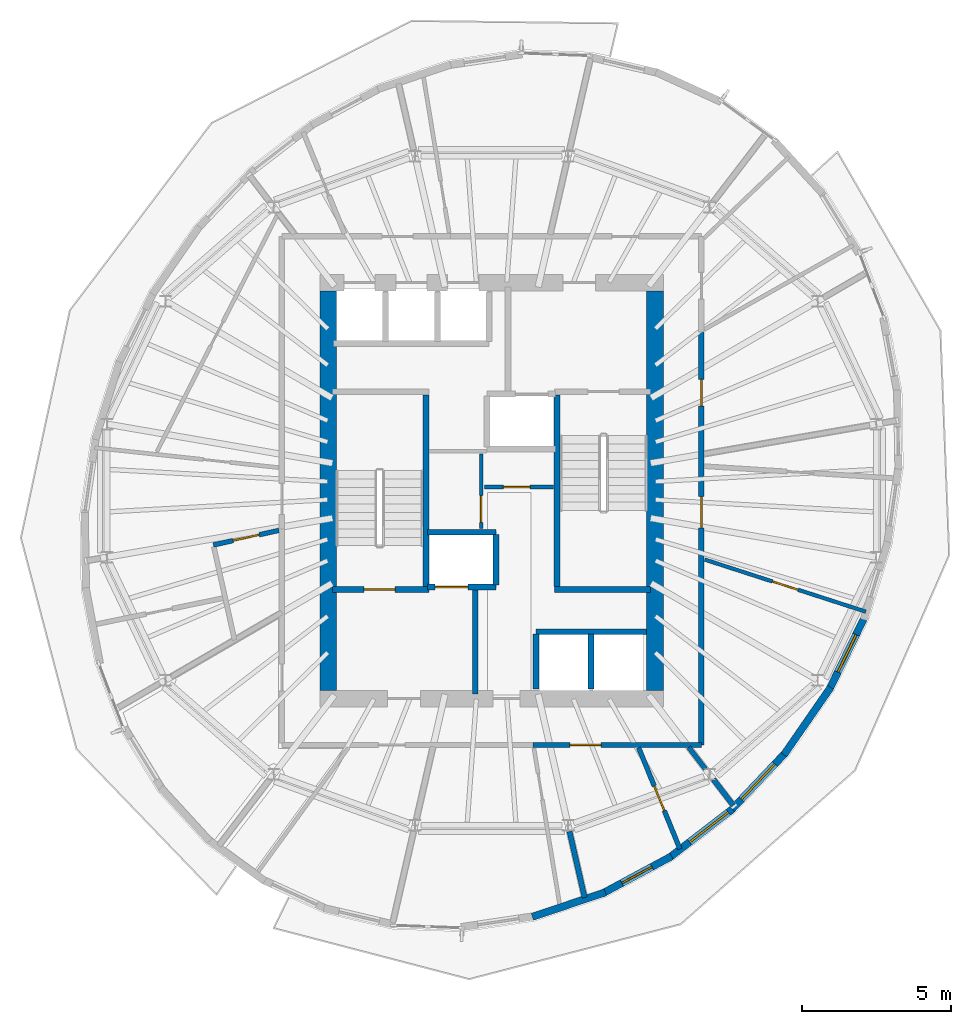
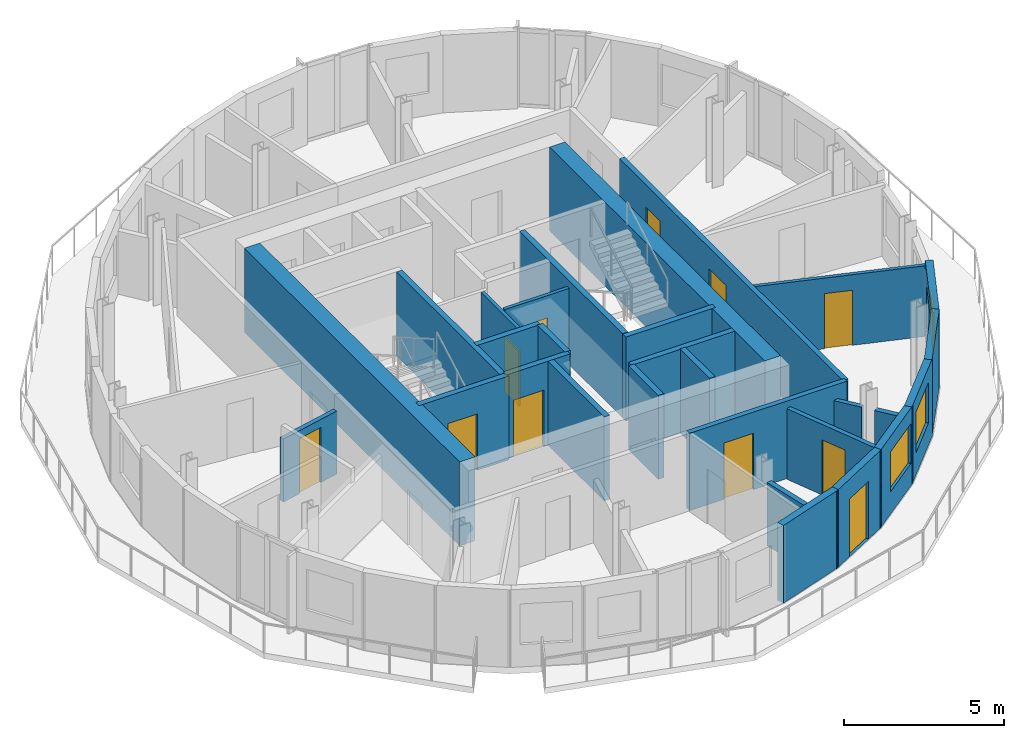
# One storey, part 5 of 11: 29 walls, 11 doors, 3 windows, 14 openings.
"""IFC4 building model written with IfcOpenShell, lengths in metres."""

from ifc_helpers import new_model, si_unit, direction, frame, frame_2d, origin, place, context, subcontext, project, spatial, rectangle, extrude, material, layer, layer_set, type_object, element, fill, save


model = new_model("IFC4")

# Units and contexts
model_context = context("Model", 3, precision=1e-05, world=origin(), true_north=direction((0.0, 1.0)))
body_context = subcontext(model_context, "Body", "Model", "MODEL_VIEW")
ifc_project = project(units=[si_unit("LENGTHUNIT", "METRE"), si_unit("AREAUNIT", "SQUARE_METRE"), si_unit("VOLUMEUNIT", "CUBIC_METRE"), si_unit("PLANEANGLEUNIT", "RADIAN"), si_unit("MASSUNIT", "GRAM", prefix="KILO")], contexts=[model_context])

# Site, building, storey
site_placement = place(None, origin())
site = spatial("IfcSite", under=ifc_project, at=site_placement, CompositionType="ELEMENT")
building_placement = place(site_placement, origin())
building = spatial("IfcBuilding", under=site, at=building_placement, Name="Veldorim Arch Residences", CompositionType="ELEMENT")
storey_placement = place(building_placement, frame((0.0, 0.0, 236.639892578125)))
storey = spatial("IfcBuildingStorey", under=building, at=storey_placement, Name="L71", CompositionType="ELEMENT", Elevation=236.639892578125)

# Wall, opening, door
ifc_material_1 = material(Name="Acoustic Gypsum Board", Category="gypsum")
ifc_layer_1 = layer(ifc_material_1, 0.125, Name="Acoustic Stud Room Partition Wall 125")
ifc_layer_set_1 = layer_set([ifc_layer_1], Name="Acoustic Gypsum Board")
wall_type_1 = type_object("IfcWallType", Name="Acoustic Stud Room Partition Wall 125", PredefinedType="PARTITIONING", material=ifc_layer_set_1)
wall_1_placement = place(storey_placement, frame((31.64990234375, 22.719970703125, 0.0), z_axis=(0.0, 0.0, 1.0), x_axis=(0.0, 1.0, 0.0)))
wall_1 = element("IfcWall", 1, at=wall_1_placement, inside=storey, type_object=wall_type_1, Name="L71 interior wall WL-CA-L71-1", PredefinedType="PARTITIONING", context=body_context, shape_type="SweptSolid", body=[
    extrude(rectangle(XDim=2.52001953125, YDim=0.125, at=frame_2d((1.260009765625, 0.0))), origin(), (0.0, 0.0, 1.0), 2.955078125),
])
opening_1_placement = place(wall_1_placement, frame((0.2099609375, 0.0, 0.0)))
opening_1 = element("IfcOpeningElement", 2, at=opening_1_placement, cuts=wall_1, Name="Opening DR-SVC", PredefinedType="OPENING", context=body_context, shape_type="SweptSolid", body=[
    extrude(rectangle(XDim=0.89990234375, YDim=2.10009765625, at=frame_2d((0.449951171875, 1.050048828125))), frame((0.0, 0.072509765625, 0.0), z_axis=(0.0, -1.0, 0.0), x_axis=(1.0, 0.0, 0.0)), (0.0, 0.0, 1.0), 0.14501953125),
])
ifc_material_2 = material(Name="Fire-Rated Steel", Category="steel")
door_type_1 = type_object("IfcDoorType", Name="Riser, Shelter & Plant Room Rated Steel Door 900x2100", OperationType="SINGLE_SWING_LEFT", PredefinedType="DOOR", material=ifc_material_2)
door_1_placement = place(opening_1_placement, origin())
door_1 = element("IfcDoor", 3, at=door_1_placement, inside=storey, type_object=door_type_1, Name="L71 interior door DR-L71-CA1", OperationType="SINGLE_SWING_LEFT", OverallHeight=2.10009765625, OverallWidth=0.89990234375, PredefinedType="DOOR", context=body_context, shape_type="SweptSolid", body=[
    extrude(rectangle(XDim=0.89990234375, YDim=2.10009765625, at=frame_2d((0.449951171875, 1.050048828125))), frame((0.0, 0.02490234375, 0.0), z_axis=(0.0, -1.0, 0.0), x_axis=(1.0, 0.0, 0.0)), (0.0, 0.0, 1.0), 0.050048828125),
])
fill(opening_1, door_1)

wall_2_placement = place(storey_placement, frame((31.760009765625, 24.1201171875, 0.0), z_axis=(0.0, 0.0, 1.0), x_axis=(1.0, 0.0, 0.0)))
wall_2 = element("IfcWall", 4, at=wall_2_placement, inside=storey, type_object=wall_type_1, Name="L71 interior wall WL-CA-L71-2", PredefinedType="PARTITIONING", context=body_context, shape_type="SweptSolid", body=[
    extrude(rectangle(XDim=2.320068359375, YDim=0.125, at=frame_2d((1.16015625, 0.0))), origin(), (0.0, 0.0, 1.0), 2.955078125),
])
opening_2_placement = place(wall_2_placement, frame((0.639892578125, 0.0, 0.0)))
opening_2 = element("IfcOpeningElement", 5, at=opening_2_placement, cuts=wall_2, Name="Opening DR-SVC", PredefinedType="OPENING", context=body_context, shape_type="SweptSolid", body=[
    extrude(rectangle(XDim=0.89990234375, YDim=2.10009765625, at=frame_2d((0.449951171875, 1.050048828125))), frame((0.0, 0.072509765625, 0.0), z_axis=(0.0, -1.0, 0.0), x_axis=(1.0, 0.0, 0.0)), (0.0, 0.0, 1.0), 0.14501953125),
])
door_2_placement = place(opening_2_placement, origin())
door_2 = element("IfcDoor", 6, at=door_2_placement, inside=storey, type_object=door_type_1, Name="L71 interior door DR-L71-CA2", OperationType="SINGLE_SWING_RIGHT", OverallHeight=2.10009765625, OverallWidth=0.89990234375, PredefinedType="DOOR", context=body_context, shape_type="SweptSolid", body=[
    extrude(rectangle(XDim=0.89990234375, YDim=2.10009765625, at=frame_2d((0.449951171875, 1.050048828125))), frame((0.0, 0.02490234375, 0.0), z_axis=(0.0, -1.0, 0.0), x_axis=(1.0, 0.0, 0.0)), (0.0, 0.0, 1.0), 0.050048828125),
])
fill(opening_2, door_2)

wall_3_placement = place(storey_placement, frame((44.59765625, 19.926025390625, 0.0), z_axis=(0.0, 0.0, 1.0), x_axis=(-0.951480669713, 0.307708523058, 0.0)))
wall_3 = element("IfcWall", 7, at=wall_3_placement, inside=storey, type_object=wall_type_1, Name="L71 interior wall WL-RES-L71-016", PredefinedType="PARTITIONING", context=body_context, shape_type="SweptSolid", body=[
    extrude(rectangle(XDim=5.699951171875, YDim=0.125, at=frame_2d((2.85009765625, 0.0))), origin(), (0.0, 0.0, 1.0), 2.692138671875),
])
opening_3_placement = place(wall_3_placement, frame((2.39990234375, 0.0, 0.0)))
opening_3 = element("IfcOpeningElement", 8, at=opening_3_placement, cuts=wall_3, Name="Opening DR-INT", PredefinedType="OPENING", context=body_context, shape_type="SweptSolid", body=[
    extrude(rectangle(XDim=0.89990234375, YDim=2.10009765625, at=frame_2d((0.449951171875, 1.050048828125))), frame((0.0, 0.072509765625, 0.0), z_axis=(0.0, -1.0, 0.0), x_axis=(1.0, 0.0, 0.0)), (0.0, 0.0, 1.0), 0.14501953125),
])
ifc_material_3 = material(Name="Engineered Timber", Category="wood")
door_type_2 = type_object("IfcDoorType", Name="Apartment Internal Room Timber Door 900x2100", OperationType="SINGLE_SWING_LEFT", PredefinedType="DOOR", material=ifc_material_3)
door_3_placement = place(opening_3_placement, origin())
door_3 = element("IfcDoor", 9, at=door_3_placement, inside=storey, type_object=door_type_2, Name="L71 interior door DR-RES-L71-008", OperationType="SINGLE_SWING_RIGHT", OverallHeight=2.10009765625, OverallWidth=0.89990234375, PredefinedType="DOOR", context=body_context, shape_type="SweptSolid", body=[
    extrude(rectangle(XDim=0.89990234375, YDim=2.10009765625, at=frame_2d((0.449951171875, 1.050048828125))), frame((0.0, 0.02490234375, 0.0), z_axis=(0.0, -1.0, 0.0), x_axis=(1.0, 0.0, 0.0)), (0.0, 0.0, 1.0), 0.050048828125),
])
fill(opening_3, door_3)

# Walls
ifc_material_4 = material(Name="Lightweight Masonry Block & Gypsum", Category="masonry")
ifc_layer_2 = layer(ifc_material_4, 0.179931640625, Name="Compartment & Corridor Fire-Rated Party Wall 180")
ifc_layer_set_2 = layer_set([ifc_layer_2], Name="Lightweight Masonry Block & Gypsum")
wall_type_2 = type_object("IfcWallType", Name="Compartment & Corridor Fire-Rated Party Wall 180", PredefinedType="PARTITIONING", material=ifc_layer_set_2)
wall_4_placement = place(storey_placement, frame((34.6240234375, 12.526611328125, 0.0), z_axis=(0.0, 0.0, 1.0), x_axis=(0.223007763243, -0.974816668679, 0.0)))
element("IfcWall", 10, at=wall_4_placement, inside=storey, type_object=wall_type_2, Name="L71 interior wall WL-PIER-L71-13", PredefinedType="PARTITIONING", context=body_context, shape_type="SweptSolid", body=[
    extrude(rectangle(XDim=2.282470703125, YDim=0.179931640625, at=frame_2d((1.14111328125, 0.0))), origin(), (0.0, 0.0, 1.0), 2.403564453125),
])
wall_5_placement = place(storey_placement, frame((39.46728515625, 14.280517578125, 0.0), z_axis=(0.0, 0.0, 1.0), x_axis=(0.609209464238, -0.793009349682, 0.0)))
element("IfcWall", 11, at=wall_5_placement, inside=storey, type_object=wall_type_2, Name="L71 interior wall WL-PIER-L71-14", PredefinedType="PARTITIONING", context=body_context, shape_type="SweptSolid", body=[
    extrude(rectangle(XDim=1.1064453125, YDim=0.179931640625, at=frame_2d((0.55322265625, 0.0))), origin(), (0.0, 0.0, 1.0), 2.403564453125),
])

# Wall, opening, door
wall_6_placement = place(storey_placement, frame((39.06005859375, 15.43994140625, 0.0), z_axis=(0.0, 0.0, 1.0), x_axis=(-1.0, 0.0, 0.0)))
wall_6 = element("IfcWall", 12, at=wall_6_placement, inside=storey, type_object=wall_type_2, Name="L71 interior wall WL-RES-L71-003", PredefinedType="PARTITIONING", context=body_context, shape_type="SweptSolid", body=[
    extrude(rectangle(XDim=5.671875, YDim=0.179931640625, at=frame_2d((2.8359375, 0.0))), origin(), (0.0, 0.0, 1.0), 2.955078125),
])
opening_4_placement = place(wall_6_placement, frame((3.373291015625, 0.0, 0.0)))
opening_4 = element("IfcOpeningElement", 13, at=opening_4_placement, cuts=wall_6, Name="Opening DR-FLT", PredefinedType="OPENING", context=body_context, shape_type="SweptSolid", body=[
    extrude(rectangle(XDim=1.050048828125, YDim=2.14990234375, at=frame_2d((0.52490234375, 1.074951171875))), frame((0.0, 0.099853515625, 0.0), z_axis=(0.0, -1.0, 0.0), x_axis=(1.0, 0.0, 0.0)), (0.0, 0.0, 1.0), 0.199951171875),
])
ifc_material_5 = material(Name="Fire-Rated Timber", Category="wood")
door_type_3 = type_object("IfcDoorType", Name="Apartment Entrance Solid-Core Fire Door 1050x2150", OperationType="SINGLE_SWING_LEFT", PredefinedType="DOOR", material=ifc_material_5)
door_4_placement = place(opening_4_placement, origin())
door_4 = element("IfcDoor", 14, at=door_4_placement, inside=storey, type_object=door_type_3, Name="L71 interior door DR-RES-L71-003", OperationType="SINGLE_SWING_LEFT", OverallHeight=2.14990234375, OverallWidth=1.050048828125, PredefinedType="DOOR", context=body_context, shape_type="SweptSolid", body=[
    extrude(rectangle(XDim=1.050048828125, YDim=2.14990234375, at=frame_2d((0.52490234375, 1.074951171875))), frame((0.0, 0.02490234375, 0.0), z_axis=(0.0, -1.0, 0.0), x_axis=(1.0, 0.0, 0.0)), (0.0, 0.0, 1.0), 0.050048828125),
])
fill(opening_4, door_4)

# Wall, openings, doors
wall_7_placement = place(storey_placement, frame((39.06005859375, 29.390625, 0.0), z_axis=(0.0, 0.0, 1.0), x_axis=(0.0, -1.0, 0.0)))
wall_7 = element("IfcWall", 15, at=wall_7_placement, inside=storey, type_object=wall_type_2, Name="L71 interior wall WL-RES-L71-004", PredefinedType="PARTITIONING", context=body_context, shape_type="SweptSolid", body=[
    extrude(rectangle(XDim=13.95068359375, YDim=0.179931640625, at=frame_2d((6.975341796875, 0.0))), origin(), (0.0, 0.0, 1.0), 2.955078125),
])
opening_5_placement = place(wall_7_placement, frame((5.593017578125, 0.0, 0.0)))
opening_5 = element("IfcOpeningElement", 16, at=opening_5_placement, cuts=wall_7, Name="Opening DR-FLT", PredefinedType="OPENING", context=body_context, shape_type="SweptSolid", body=[
    extrude(rectangle(XDim=1.050048828125, YDim=2.14990234375, at=frame_2d((0.52490234375, 1.074951171875))), frame((0.0, 0.099853515625, 0.0), z_axis=(0.0, -1.0, 0.0), x_axis=(1.0, 0.0, 0.0)), (0.0, 0.0, 1.0), 0.199951171875),
])
opening_6_placement = place(wall_7_placement, frame((1.644775390625, 0.0, 0.0)))
opening_6 = element("IfcOpeningElement", 17, at=opening_6_placement, cuts=wall_7, Name="Opening DR-INT", PredefinedType="OPENING", context=body_context, shape_type="SweptSolid", body=[
    extrude(rectangle(XDim=0.89990234375, YDim=2.10009765625, at=frame_2d((0.449951171875, 1.050048828125))), frame((0.0, 0.099853515625, 0.0), z_axis=(0.0, -1.0, 0.0), x_axis=(1.0, 0.0, 0.0)), (0.0, 0.0, 1.0), 0.199951171875),
])
door_5_placement = place(opening_5_placement, origin())
door_5 = element("IfcDoor", 18, at=door_5_placement, inside=storey, type_object=door_type_3, Name="L71 interior door DR-RES-L71-006", OperationType="SINGLE_SWING_RIGHT", OverallHeight=2.14990234375, OverallWidth=1.050048828125, PredefinedType="DOOR", context=body_context, shape_type="SweptSolid", body=[
    extrude(rectangle(XDim=1.050048828125, YDim=2.14990234375, at=frame_2d((0.52490234375, 1.074951171875))), frame((0.0, 0.02490234375, 0.0), z_axis=(0.0, -1.0, 0.0), x_axis=(1.0, 0.0, 0.0)), (0.0, 0.0, 1.0), 0.050048828125),
])
fill(opening_5, door_5)
door_6_placement = place(opening_6_placement, origin())
door_6 = element("IfcDoor", 19, at=door_6_placement, inside=storey, type_object=door_type_2, Name="L71 interior door DR-RES-L71-011", OperationType="SINGLE_SWING_LEFT", OverallHeight=2.10009765625, OverallWidth=0.89990234375, PredefinedType="DOOR", context=body_context, shape_type="SweptSolid", body=[
    extrude(rectangle(XDim=0.89990234375, YDim=2.10009765625, at=frame_2d((0.449951171875, 1.050048828125))), frame((0.0, 0.02490234375, 0.0), z_axis=(0.0, -1.0, 0.0), x_axis=(1.0, 0.0, 0.0)), (0.0, 0.0, 1.0), 0.050048828125),
])
fill(opening_6, door_6)

# Wall
ifc_material_6 = material(Name="Concrete C50/60", Category="concrete")
ifc_layer_3 = layer(ifc_material_6, 0.199951171875, Name="Core Stair & Lift Shaft Enclosure Wall 200")
ifc_layer_set_3 = layer_set([ifc_layer_3], Name="Concrete C50/60")
wall_type_3 = type_object("IfcWallType", Name="Core Stair & Lift Shaft Enclosure Wall 200", PredefinedType="SHEAR", material=ifc_layer_set_3)
wall_8_placement = place(storey_placement, frame((29.7900390625, 20.780029296875, 0.0), z_axis=(0.0, 0.0, 1.0), x_axis=(0.0, 1.0, 0.0)))
element("IfcWall", 20, at=wall_8_placement, inside=storey, type_object=wall_type_3, Name="L71 shaft wall WL-SHF-L71-ST1-E", PredefinedType="SHEAR", context=body_context, shape_type="SweptSolid", body=[
    extrude(rectangle(XDim=6.43994140625, YDim=0.199951171875, at=frame_2d((3.219970703125, 0.0))), origin(), (0.0, 0.0, 1.0), 3.2001953125),
])

# Wall, opening, door
wall_9_placement = place(storey_placement, frame((26.64990234375, 20.669921875, 0.0), z_axis=(0.0, 0.0, 1.0), x_axis=(1.0, 0.0, 0.0)))
wall_9 = element("IfcWall", 21, at=wall_9_placement, inside=storey, type_object=wall_type_3, Name="L71 shaft wall WL-SHF-L71-ST1-S", PredefinedType="SHEAR", context=body_context, shape_type="SweptSolid", body=[
    extrude(rectangle(XDim=3.239990234375, YDim=0.199951171875, at=frame_2d((1.6201171875, 0.0))), origin(), (0.0, 0.0, 1.0), 3.2001953125),
])
opening_7_placement = place(wall_9_placement, frame((1.054931640625, 0.0, 0.0)))
opening_7 = element("IfcOpeningElement", 22, at=opening_7_placement, cuts=wall_9, Name="Opening DR-ST", PredefinedType="OPENING", context=body_context, shape_type="SweptSolid", body=[
    extrude(rectangle(XDim=1.050048828125, YDim=2.14990234375, at=frame_2d((0.52490234375, 1.074951171875))), frame((0.0, 0.10986328125, 0.0), z_axis=(0.0, -1.0, 0.0), x_axis=(1.0, 0.0, 0.0)), (0.0, 0.0, 1.0), 0.219970703125),
])
ifc_material_7 = material(Name="Fire-Rated Steel", Category="steel")
door_type_4 = type_object("IfcDoorType", Name="Exit Staircase Self-Closing Fire Door 1050x2150", OperationType="SINGLE_SWING_LEFT", PredefinedType="DOOR", material=ifc_material_7)
door_7_placement = place(opening_7_placement, origin())
door_7 = element("IfcDoor", 23, at=door_7_placement, inside=storey, type_object=door_type_4, Name="L71 interior door DR-L71-ST1", OperationType="SINGLE_SWING_LEFT", OverallHeight=2.14990234375, OverallWidth=1.050048828125, PredefinedType="DOOR", context=body_context, shape_type="SweptSolid", body=[
    extrude(rectangle(XDim=1.050048828125, YDim=2.14990234375, at=frame_2d((0.52490234375, 1.074951171875))), frame((0.0, 0.02490234375, 0.0), z_axis=(0.0, -1.0, 0.0), x_axis=(1.0, 0.0, 0.0)), (0.0, 0.0, 1.0), 0.050048828125),
])
fill(opening_7, door_7)

# Walls
wall_10_placement = place(storey_placement, frame((34.2099609375, 20.780029296875, 0.0), z_axis=(0.0, 0.0, 1.0), x_axis=(0.0, 1.0, 0.0)))
element("IfcWall", 24, at=wall_10_placement, inside=storey, type_object=wall_type_3, Name="L71 shaft wall WL-SHF-L71-ST2-W", PredefinedType="SHEAR", context=body_context, shape_type="SweptSolid", body=[
    extrude(rectangle(XDim=6.43994140625, YDim=0.199951171875, at=frame_2d((3.219970703125, 0.0))), origin(), (0.0, 0.0, 1.0), 3.2001953125),
])
wall_11_placement = place(storey_placement, frame((34.110107421875, 20.669921875, 0.0), z_axis=(0.0, 0.0, 1.0), x_axis=(1.0, 0.0, 0.0)))
element("IfcWall", 25, at=wall_11_placement, inside=storey, type_object=wall_type_3, Name="L71 shaft wall WL-SHF-L71-ST2-S", PredefinedType="SHEAR", context=body_context, shape_type="SweptSolid", body=[
    extrude(rectangle(XDim=3.239990234375, YDim=0.199951171875, at=frame_2d((1.6201171875, 0.0))), origin(), (0.0, 0.0, 1.0), 3.2001953125),
])
wall_12_placement = place(storey_placement, frame((31.449951171875, 17.14990234375, 0.0), z_axis=(0.0, 0.0, 1.0), x_axis=(0.0, 1.0, 0.0)))
element("IfcWall", 26, at=wall_12_placement, inside=storey, type_object=wall_type_3, Name="L71 shaft wall WL-FFL1-L71-E", PredefinedType="SHEAR", context=body_context, shape_type="SweptSolid", body=[
    extrude(rectangle(XDim=3.5, YDim=0.199951171875, at=frame_2d((1.75, 0.0))), origin(), (0.0, 0.0, 1.0), 3.2001953125),
])

# Wall, opening, door
wall_13_placement = place(storey_placement, frame((29.85009765625, 20.75, 0.0), z_axis=(0.0, 0.0, 1.0), x_axis=(1.0, 0.0, 0.0)))
wall_13 = element("IfcWall", 27, at=wall_13_placement, inside=storey, type_object=wall_type_3, Name="L71 shaft wall WL-FL01-L71-S", PredefinedType="SHEAR", context=body_context, shape_type="SweptSolid", body=[
    extrude(rectangle(XDim=2.2998046875, YDim=0.199951171875, at=frame_2d((1.14990234375, 0.0))), origin(), (0.0, 0.0, 1.0), 3.2001953125),
])
opening_8_placement = place(wall_13_placement, frame((0.25, 0.0, 0.0)))
opening_8 = element("IfcOpeningElement", 28, at=opening_8_placement, cuts=wall_13, Name="Opening LD-FF", PredefinedType="OPENING", context=body_context, shape_type="SweptSolid", body=[
    extrude(rectangle(XDim=1.10009765625, YDim=2.14990234375, at=frame_2d((0.550048828125, 1.074951171875))), frame((0.0, 0.10986328125, 0.0), z_axis=(0.0, -1.0, 0.0), x_axis=(1.0, 0.0, 0.0)), (0.0, 0.0, 1.0), 0.219970703125),
])
ifc_material_8 = material(Name="Stainless Steel", Category="steel")
door_type_5 = type_object("IfcDoorType", Name="Firefighting Lift Bi-Parting Sliding Landing Door 1100x2150", OperationType="DOUBLE_DOOR_SLIDING", PredefinedType="DOOR", material=ifc_material_8)
door_8_placement = place(opening_8_placement, origin())
door_8 = element("IfcDoor", 29, at=door_8_placement, inside=storey, type_object=door_type_5, Name="L71 lift landing door LD-L71-FL01", OperationType="DOUBLE_DOOR_SLIDING", OverallHeight=2.14990234375, OverallWidth=1.10009765625, PredefinedType="DOOR", context=body_context, shape_type="SweptSolid", body=[
    extrude(rectangle(XDim=1.10009765625, YDim=2.14990234375, at=frame_2d((0.550048828125, 1.074951171875))), frame((0.0, 0.02490234375, 0.0), z_axis=(0.0, -1.0, 0.0), x_axis=(1.0, 0.0, 0.0)), (0.0, 0.0, 1.0), 0.050048828125),
])
fill(opening_8, door_8)

# Walls
wall_14_placement = place(storey_placement, frame((29.85009765625, 22.60009765625, 0.0), z_axis=(0.0, 0.0, 1.0), x_axis=(1.0, 0.0, 0.0)))
element("IfcWall", 30, at=wall_14_placement, inside=storey, type_object=wall_type_3, Name="L71 shaft wall WL-FL01-L71-N", PredefinedType="SHEAR", context=body_context, shape_type="SweptSolid", body=[
    extrude(rectangle(XDim=2.2998046875, YDim=0.199951171875, at=frame_2d((1.14990234375, 0.0))), origin(), (0.0, 0.0, 1.0), 3.2001953125),
])
wall_15_placement = place(storey_placement, frame((32.14990234375, 20.820068359375, 0.0), z_axis=(0.0, 0.0, 1.0), x_axis=(0.0, 1.0, 0.0)))
element("IfcWall", 31, at=wall_15_placement, inside=storey, type_object=wall_type_3, Name="L71 shaft wall WL-FL01-L71-E", PredefinedType="SHEAR", context=body_context, shape_type="SweptSolid", body=[
    extrude(rectangle(XDim=1.7099609375, YDim=0.199951171875, at=frame_2d((0.85498046875, 0.0))), origin(), (0.0, 0.0, 1.0), 3.2001953125),
])
wall_16_placement = place(storey_placement, frame((33.5, 19.25, 0.0), z_axis=(0.0, 0.0, 1.0), x_axis=(1.0, 0.0, 0.0)))
element("IfcWall", 32, at=wall_16_placement, inside=storey, type_object=wall_type_3, Name="L71 shaft wall WL-OL-L71-N", PredefinedType="SHEAR", context=body_context, shape_type="SweptSolid", body=[
    extrude(rectangle(XDim=3.719970703125, YDim=0.199951171875, at=frame_2d((1.85986328125, 0.0))), origin(), (0.0, 0.0, 1.0), 3.2001953125),
])
for number, where, z_axis, x_axis, name in (
    (33, (33.5, 17.320068359375, 0.0), (0.0, 0.0, 1.0), (0.0, 1.0, 0.0), "L71 shaft wall WL-OL-L71-W"),
    (34, (35.35009765625, 17.320068359375, 0.0), (0.0, 0.0, 1.0), (0.0, 1.0, 0.0), "L71 shaft wall WL-OL-L71-D1"),
):
    element("IfcWall", number, at=place(storey_placement, frame(where, z_axis=z_axis, x_axis=x_axis)), inside=storey, type_object=wall_type_3, Name=name, PredefinedType="SHEAR", context=body_context, shape_type="SweptSolid", body=[
        extrude(rectangle(XDim=1.85986328125, YDim=0.199951171875, at=frame_2d((0.929931640625, 0.0))), origin(), (0.0, 0.0, 1.0), 3.2001953125),
    ])
ifc_material_9 = material(Name="Precast concrete C40/50", Category="concrete")
ifc_layer_4 = layer(ifc_material_9, 0.25, Name="Tower Terracotta Spandrel & Pier Wall 250")
ifc_layer_set_4 = layer_set([ifc_layer_4], Name="Precast concrete C40/50")
wall_type_4 = type_object("IfcWallType", Name="Tower Terracotta Spandrel & Pier Wall 250", PredefinedType="SOLIDWALL", material=ifc_layer_set_4)
wall_17_placement = place(storey_placement, frame((35.829833984375, 10.478515625, 0.0), z_axis=(0.0, 0.0, 1.0), x_axis=(-0.947566090698, -0.319559859431, 0.0)))
element("IfcWall", 35, at=wall_17_placement, inside=storey, type_object=wall_type_4, Name="L71 terracotta facade wall 23", PredefinedType="SOLIDWALL", context=body_context, shape_type="SweptSolid", body=[
    extrude(rectangle(XDim=2.59228515625, YDim=0.25, at=frame_2d((1.296142578125, 0.0))), origin(), (0.0, 0.0, 1.0), 2.960205078125),
])

# Wall, opening, door
wall_18_placement = place(storey_placement, frame((38.062255859375, 11.69140625, 0.0), z_axis=(0.0, 0.0, 1.0), x_axis=(-0.880420823352, -0.47419318195, 0.0)))
wall_18 = element("IfcWall", 36, at=wall_18_placement, inside=storey, type_object=wall_type_4, Name="L71 terracotta facade wall 24", PredefinedType="SOLIDWALL", context=body_context, shape_type="SweptSolid", body=[
    extrude(rectangle(XDim=2.65087890625, YDim=0.25, at=frame_2d((1.325439453125, 0.0))), origin(), (0.0, 0.0, 1.0), 2.960205078125),
])
opening_9_placement = place(wall_18_placement, frame((0.7509765625, 0.0, 0.0)))
opening_9 = element("IfcOpeningElement", 37, at=opening_9_placement, cuts=wall_18, Name="Opening BL-DR", PredefinedType="OPENING", context=body_context, shape_type="SweptSolid", body=[
    extrude(rectangle(XDim=1.14990234375, YDim=2.199951171875, at=frame_2d((0.574951171875, 1.10009765625))), frame((0.0, 0.135009765625, 0.0), z_axis=(0.0, -1.0, 0.0), x_axis=(1.0, 0.0, 0.0)), (0.0, 0.0, 1.0), 0.27001953125),
])
ifc_material_10 = material(Name="Aluminium & Low-E Glass", Category="aluminium")
door_type_6 = type_object("IfcDoorType", Name="Glazed Planted Balcony Door 1150x2200", OperationType="SINGLE_SWING_LEFT", PredefinedType="DOOR", material=ifc_material_10)
door_9_placement = place(opening_9_placement, origin())
door_9 = element("IfcDoor", 38, at=door_9_placement, inside=storey, type_object=door_type_6, Name="L71 glazed outdoor terrace door BALC-2", OperationType="SINGLE_SWING_RIGHT", OverallHeight=2.199951171875, OverallWidth=1.14990234375, PredefinedType="DOOR", context=body_context, shape_type="SweptSolid", body=[
    extrude(rectangle(XDim=1.14990234375, YDim=2.199951171875, at=frame_2d((0.574951171875, 1.10009765625))), frame((0.0, 0.02490234375, 0.0), z_axis=(0.0, -1.0, 0.0), x_axis=(1.0, 0.0, 0.0)), (0.0, 0.0, 1.0), 0.050048828125),
])
fill(opening_9, door_9)

# Wall, opening, window
wall_19_placement = place(storey_placement, frame((40.111328125, 13.279052734375, 0.0), z_axis=(0.0, 0.0, 1.0), x_axis=(-0.792543354822, -0.609815571076, 0.0)))
wall_19 = element("IfcWall", 39, at=wall_19_placement, inside=storey, type_object=wall_type_4, Name="L71 terracotta facade wall 25", PredefinedType="SOLIDWALL", context=body_context, shape_type="SweptSolid", body=[
    extrude(rectangle(XDim=2.70166015625, YDim=0.25, at=frame_2d((1.350830078125, 0.0))), origin(), (0.0, 0.0, 1.0), 2.960205078125),
])
opening_10_placement = place(wall_19_placement, frame((0.175048828125, 0.0, 0.85009765625)))
opening_10 = element("IfcOpeningElement", 40, at=opening_10_placement, cuts=wall_19, Name="Opening WN-03", PredefinedType="OPENING", context=body_context, shape_type="SweptSolid", body=[
    extrude(rectangle(XDim=1.64990234375, YDim=1.52001953125, at=frame_2d((0.824951171875, 0.760009765625))), frame((0.0, 0.135009765625, 0.0), z_axis=(0.0, -1.0, 0.0), x_axis=(1.0, 0.0, 0.0)), (0.0, 0.0, 1.0), 0.27001953125),
])
ifc_material_11 = material(Name="Laminated Low-E Glass", Category="glass")
window_type_1 = type_object("IfcWindowType", Name="Residential Wide Window 1650x1550", PartitioningType="SINGLE_PANEL", PredefinedType="WINDOW", material=ifc_material_11)
window_1_placement = place(opening_10_placement, origin())
window_1 = element("IfcWindow", 41, at=window_1_placement, inside=storey, type_object=window_type_1, Name="L71 solar-control facade window 25", OverallHeight=1.52001953125, OverallWidth=1.64990234375, PartitioningType="SINGLE_PANEL", PredefinedType="WINDOW", context=body_context, shape_type="SweptSolid", body=[
    extrude(rectangle(XDim=1.64990234375, YDim=1.52001953125, at=frame_2d((0.824951171875, 0.760009765625))), frame((0.0, 0.030029296875, 0.0), z_axis=(0.0, -1.0, 0.0), x_axis=(1.0, 0.0, 0.0)), (0.0, 0.0, 1.0), 0.06005859375),
])
fill(opening_10, window_1)

wall_20_placement = place(storey_placement, frame((41.91455078125, 15.193115234375, 0.0), z_axis=(0.0, 0.0, 1.0), x_axis=(-0.688046261031, -0.725666826223, 0.0)))
wall_20 = element("IfcWall", 42, at=wall_20_placement, inside=storey, type_object=wall_type_4, Name="L71 terracotta facade wall 26", PredefinedType="SOLIDWALL", context=body_context, shape_type="SweptSolid", body=[
    extrude(rectangle(XDim=2.738525390625, YDim=0.25, at=frame_2d((1.369140625, 0.0))), origin(), (0.0, 0.0, 1.0), 2.960205078125),
])
opening_11_placement = place(wall_20_placement, frame((0.5439453125, 0.0, 0.85009765625)))
opening_11 = element("IfcOpeningElement", 43, at=opening_11_placement, cuts=wall_20, Name="Opening WN-03", PredefinedType="OPENING", context=body_context, shape_type="SweptSolid", body=[
    extrude(rectangle(XDim=1.64990234375, YDim=1.550048828125, at=frame_2d((0.824951171875, 0.77490234375))), frame((0.0, 0.135009765625, 0.0), z_axis=(0.0, -1.0, 0.0), x_axis=(1.0, 0.0, 0.0)), (0.0, 0.0, 1.0), 0.27001953125),
])
window_2_placement = place(opening_11_placement, origin())
window_2 = element("IfcWindow", 44, at=window_2_placement, inside=storey, type_object=window_type_1, Name="L71 solar-control facade window 26", OverallHeight=1.550048828125, OverallWidth=1.64990234375, PartitioningType="SINGLE_PANEL", PredefinedType="WINDOW", context=body_context, shape_type="SweptSolid", body=[
    extrude(rectangle(XDim=1.64990234375, YDim=1.550048828125, at=frame_2d((0.824951171875, 0.77490234375))), frame((0.0, 0.030029296875, 0.0), z_axis=(0.0, -1.0, 0.0), x_axis=(1.0, 0.0, 0.0)), (0.0, 0.0, 1.0), 0.06005859375),
])
fill(opening_11, window_2)

# Wall
wall_21_placement = place(storey_placement, frame((43.416259765625, 17.3759765625, 0.0), z_axis=(0.0, 0.0, 1.0), x_axis=(-0.569421689582, -0.822045582333, 0.0)))
element("IfcWall", 45, at=wall_21_placement, inside=storey, type_object=wall_type_4, Name="L71 terracotta facade wall 27", PredefinedType="SOLIDWALL", context=body_context, shape_type="SweptSolid", body=[
    extrude(rectangle(XDim=2.758056640625, YDim=0.25, at=frame_2d((1.37890625, 0.0))), origin(), (0.0, 0.0, 1.0), 2.960205078125),
])

# Wall, opening, window
wall_22_placement = place(storey_placement, frame((44.57080078125, 19.7607421875, 0.0), z_axis=(0.0, 0.0, 1.0), x_axis=(-0.438517804861, -0.898722501565, 0.0)))
wall_22 = element("IfcWall", 46, at=wall_22_placement, inside=storey, type_object=wall_type_4, Name="L71 terracotta facade wall 28", PredefinedType="SOLIDWALL", context=body_context, shape_type="SweptSolid", body=[
    extrude(rectangle(XDim=2.758056640625, YDim=0.25, at=frame_2d((1.37890625, 0.0))), origin(), (0.0, 0.0, 1.0), 2.960205078125),
])
opening_12_placement = place(wall_22_placement, frame((0.678955078125, 0.0, 0.85009765625)))
opening_12 = element("IfcOpeningElement", 47, at=opening_12_placement, cuts=wall_22, Name="Opening WN-02", PredefinedType="OPENING", context=body_context, shape_type="SweptSolid", body=[
    extrude(rectangle(XDim=1.39990234375, YDim=1.550048828125, at=frame_2d((0.699951171875, 0.77490234375))), frame((0.0, 0.135009765625, 0.0), z_axis=(0.0, -1.0, 0.0), x_axis=(1.0, 0.0, 0.0)), (0.0, 0.0, 1.0), 0.27001953125),
])
ifc_material_12 = material(Name="Laminated Low-E Glass", Category="glass")
window_type_2 = type_object("IfcWindowType", Name="Residential Casement Window 1400x1550", PartitioningType="SINGLE_PANEL", PredefinedType="WINDOW", material=ifc_material_12)
window_3_placement = place(opening_12_placement, origin())
window_3 = element("IfcWindow", 48, at=window_3_placement, inside=storey, type_object=window_type_2, Name="L71 solar-control facade window 28", OverallHeight=1.550048828125, OverallWidth=1.39990234375, PartitioningType="SINGLE_PANEL", PredefinedType="WINDOW", context=body_context, shape_type="SweptSolid", body=[
    extrude(rectangle(XDim=1.39990234375, YDim=1.550048828125, at=frame_2d((0.699951171875, 0.77490234375))), frame((0.0, 0.030029296875, 0.0), z_axis=(0.0, -1.0, 0.0), x_axis=(1.0, 0.0, 0.0)), (0.0, 0.0, 1.0), 0.06005859375),
])
fill(opening_12, window_3)

# Walls
ifc_material_13 = material(Name="Concrete C50/60", Category="concrete")
ifc_layer_5 = layer(ifc_material_13, 0.5, Name="Upper Central Core Shear Wall 560")
ifc_layer_set_5 = layer_set([ifc_layer_5], Name="Concrete C50/60")
wall_type_5 = type_object("IfcWallType", Name="Upper Central Core Shear Wall 560", PredefinedType="SHEAR", material=ifc_layer_set_5)
for number, where, z_axis, x_axis, name in (
    (49, (26.5, 17.280029296875, 0.0), (0.0, 0.0, 1.0), (0.0, 1.0, 0.0), "L71 central core west shear wall"),
    (50, (37.5, 17.280029296875, 0.0), (0.0, 0.0, 1.0), (0.0, 1.0, 0.0), "L71 central core east shear wall"),
):
    element("IfcWall", number, at=place(storey_placement, frame(where, z_axis=z_axis, x_axis=x_axis)), inside=storey, type_object=wall_type_5, Name=name, PredefinedType="SHEAR", context=body_context, shape_type="SweptSolid", body=[
        extrude(rectangle(XDim=13.43994140625, YDim=0.56005859375, at=frame_2d((6.719970703125, 0.0))), origin(), (0.0, 0.0, 1.0), 3.2001953125),
    ])

# Wall, opening, door
ifc_material_14 = material(Name="Moisture-Resistant Gypsum & Stud", Category="gypsum")
ifc_layer_6 = layer(ifc_material_14, 0.159912109375, Name="Wet-Area Moisture-Resistant Plumbing Wall 160")
ifc_layer_set_6 = layer_set([ifc_layer_6], Name="Moisture-Resistant Gypsum & Stud")
wall_type_6 = type_object("IfcWallType", Name="Wet-Area Moisture-Resistant Plumbing Wall 160", PredefinedType="PLUMBINGWALL", material=ifc_layer_set_6)
wall_23_placement = place(storey_placement, frame((36.951171875, 15.347412109375, 0.0), z_axis=(0.0, 0.0, 1.0), x_axis=(0.377313729351, -0.92608549802, 0.0)))
wall_23 = element("IfcWall", 51, at=wall_23_placement, inside=storey, type_object=wall_type_6, Name="L71 interior wall WL-RES-L71-012", PredefinedType="PLUMBINGWALL", context=body_context, shape_type="SweptSolid", body=[
    extrude(rectangle(XDim=3.68359375, YDim=0.159912109375, at=frame_2d((1.841796875, 0.0))), origin(), (0.0, 0.0, 1.0), 2.692138671875),
])
opening_13_placement = place(wall_23_placement, frame((1.391845703125, 0.0, 0.0)))
opening_13 = element("IfcOpeningElement", 52, at=opening_13_placement, cuts=wall_23, Name="Opening DR-WC", PredefinedType="OPENING", context=body_context, shape_type="SweptSolid", body=[
    extrude(rectangle(XDim=0.89990234375, YDim=2.10009765625, at=frame_2d((0.449951171875, 1.050048828125))), frame((0.0, 0.08984375, 0.0), z_axis=(0.0, -1.0, 0.0), x_axis=(1.0, 0.0, 0.0)), (0.0, 0.0, 1.0), 0.179931640625),
])
ifc_material_15 = material(Name="Laminate Timber", Category="wood")
door_type_7 = type_object("IfcDoorType", Name="Bathroom & Accessible WC Moisture-Sealed Door 900x2100", OperationType="SINGLE_SWING_LEFT", PredefinedType="DOOR", material=ifc_material_15)
door_10_placement = place(opening_13_placement, origin())
door_10 = element("IfcDoor", 53, at=door_10_placement, inside=storey, type_object=door_type_7, Name="L71 interior door DR-RES-L71-004", OperationType="SINGLE_SWING_RIGHT", OverallHeight=2.10009765625, OverallWidth=0.89990234375, PredefinedType="DOOR", context=body_context, shape_type="SweptSolid", body=[
    extrude(rectangle(XDim=0.89990234375, YDim=2.10009765625, at=frame_2d((0.449951171875, 1.050048828125))), frame((0.0, 0.02490234375, 0.0), z_axis=(0.0, -1.0, 0.0), x_axis=(1.0, 0.0, 0.0)), (0.0, 0.0, 1.0), 0.050048828125),
])
fill(opening_13, door_10)

# Wall
wall_24_placement = place(storey_placement, frame((38.637451171875, 15.360595703125, 0.0), z_axis=(0.0, 0.0, 1.0), x_axis=(0.609314315131, -0.7929287896, 0.0)))
element("IfcWall", 54, at=wall_24_placement, inside=storey, type_object=wall_type_6, Name="L71 interior wall WL-RES-L71-014", PredefinedType="PLUMBINGWALL", context=body_context, shape_type="SweptSolid", body=[
    extrude(rectangle(XDim=0.9228515625, YDim=0.159912109375, at=frame_2d((0.46142578125, 0.0))), origin(), (0.0, 0.0, 1.0), 2.403564453125),
])

# Wall, opening, door
wall_25_placement = place(storey_placement, frame((24.84228515625, 22.6630859375, 0.0), z_axis=(0.0, 0.0, 1.0), x_axis=(-0.976008847289, -0.21773086601, 0.0)))
wall_25 = element("IfcWall", 55, at=wall_25_placement, inside=storey, type_object=wall_type_6, Name="L71 interior wall WL-RES-L71-026", PredefinedType="PLUMBINGWALL", context=body_context, shape_type="SweptSolid", body=[
    extrude(rectangle(XDim=2.260498046875, YDim=0.159912109375, at=frame_2d((1.13037109375, 0.0))), origin(), (0.0, 0.0, 1.0), 2.403564453125),
])
opening_14_placement = place(wall_25_placement, frame((0.680419921875, 0.0, 0.0)))
opening_14 = element("IfcOpeningElement", 56, at=opening_14_placement, cuts=wall_25, Name="Opening DR-INT", PredefinedType="OPENING", context=body_context, shape_type="SweptSolid", body=[
    extrude(rectangle(XDim=0.89990234375, YDim=2.10009765625, at=frame_2d((0.449951171875, 1.050048828125))), frame((0.0, 0.08984375, 0.0), z_axis=(0.0, -1.0, 0.0), x_axis=(1.0, 0.0, 0.0)), (0.0, 0.0, 1.0), 0.179931640625),
])
door_11_placement = place(opening_14_placement, origin())
door_11 = element("IfcDoor", 57, at=door_11_placement, inside=storey, type_object=door_type_2, Name="L71 interior door DR-RES-L71-019", OperationType="SINGLE_SWING_LEFT", OverallHeight=2.10009765625, OverallWidth=0.89990234375, PredefinedType="DOOR", context=body_context, shape_type="SweptSolid", body=[
    extrude(rectangle(XDim=0.89990234375, YDim=2.10009765625, at=frame_2d((0.449951171875, 1.050048828125))), frame((0.0, 0.02490234375, 0.0), z_axis=(0.0, -1.0, 0.0), x_axis=(1.0, 0.0, 0.0)), (0.0, 0.0, 1.0), 0.050048828125),
])
fill(opening_14, door_11)

save(model, "model.ifc")
